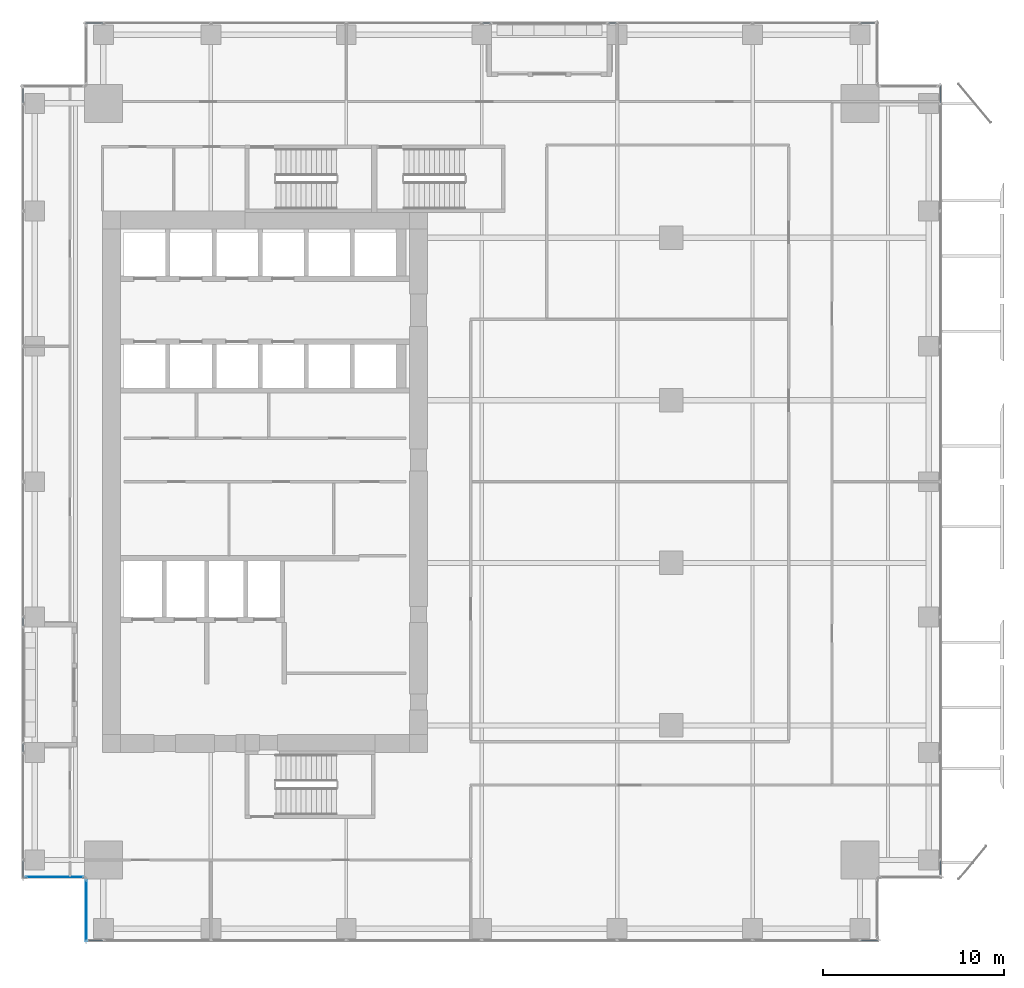
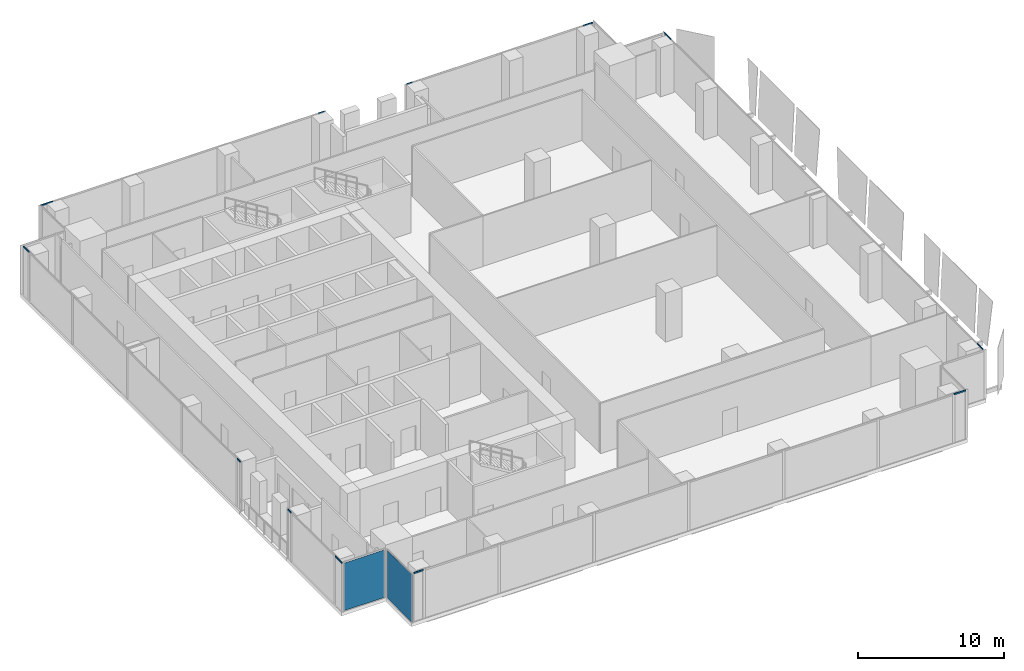
# One storey, part 21 of 33: 12 members, 2 plates, 8 elements without a shape of their own.
"""IFC4 building model written with IfcOpenShell, lengths in metres."""

from ifc_helpers import new_model, si_unit, direction, frame, origin, origin_2d, place, context, subcontext, project, spatial, rectangle, hollow_rectangle, extrude, source, transform, mapped, material, layer, layer_set, material_profile, profile_set, type_object, element, aggregate, save


model = new_model("IFC4")

# Units and contexts
model_context = context("Model", 3, precision=1e-05, world=origin(), true_north=direction((0.0, 1.0)))
body_context = subcontext(model_context, "Body", "Model", "MODEL_VIEW")
ifc_project = project(units=[si_unit("LENGTHUNIT", "METRE"), si_unit("AREAUNIT", "SQUARE_METRE"), si_unit("VOLUMEUNIT", "CUBIC_METRE"), si_unit("PLANEANGLEUNIT", "RADIAN"), si_unit("MASSUNIT", "GRAM", prefix="KILO")], contexts=[model_context])

# Site, building, storey
site_placement = place(None, origin())
site = spatial("IfcSite", under=ifc_project, at=site_placement, CompositionType="ELEMENT")
building_placement = place(site_placement, origin())
building = spatial("IfcBuilding", under=site, at=building_placement, Name="Khomas Fold Tower", CompositionType="ELEMENT")
storey_placement = place(building_placement, frame((0.0, 0.0, 149.89990234375)))
storey = spatial("IfcBuildingStorey", under=building, at=storey_placement, Name="L32", CompositionType="ELEMENT", Elevation=149.89990234375)

# Curtain wall, member
ifc_material_1 = material(Name="Aluminium framed double glazing", Category="aluminium")
curtain_wall_type = type_object("IfcCurtainWallType", Name="SK-Unitised clear-glass wall, growing floors CW1", PredefinedType="NOTDEFINED", material=ifc_material_1)
curtain_wall_1_placement = place(storey_placement, origin())
curtain_wall_1 = element("IfcCurtainWall", 1, at=curtain_wall_1_placement, inside=storey, type_object=curtain_wall_type, Name="CW1 run L32 00-0", PredefinedType="NOTDEFINED")
ifc_material_2 = material(Name="Aluminium", Category="aluminium")
ifc_material_profile = material_profile(ifc_material_2, hollow_rectangle(XDim=0.06005859375, YDim=0.1201171875, WallThickness=0.00390625, at=origin_2d()), Name="SK-Unitised clear-glass wall, growing floors transom CW1-T")
ifc_profile_set = profile_set([ifc_material_profile], Name="Aluminium")
member_type = type_object("IfcMemberType", Name="SK-Unitised clear-glass wall, growing floors transom CW1-T", PredefinedType="USERDEFINED", material=ifc_profile_set)
shared_shape_1 = source(origin(), body_context, "Body", "SweptSolid", [
    extrude(hollow_rectangle(XDim=0.06005859375, YDim=0.1201171875, WallThickness=0.00390625, at=origin_2d()), origin(), (0.0, 0.0, 1.0), 0.760009765625),
])
member_1_placement = place(storey_placement, frame((5.260009765625, 1.60009765625, 4.0400390625), z_axis=(1.0, 0.0, 0.0), x_axis=(0.0, 1.0, 0.0)))
member_1 = element("IfcMember", 2, at=member_1_placement, type_object=member_type, Name="CW1 transom 1", ObjectType="TRANSOM", PredefinedType="USERDEFINED", context=body_context, shape_type="MappedRepresentation", body=[
    mapped(shared_shape_1, transform((0.0, 0.0, 0.0))),
])

curtain_wall_2_placement = place(storey_placement, origin())
curtain_wall_2 = element("IfcCurtainWall", 3, at=curtain_wall_2_placement, inside=storey, type_object=curtain_wall_type, Name="CW1 run L32 03-0", PredefinedType="NOTDEFINED")
member_2_placement = place(storey_placement, frame((52.39990234375, 5.260009765625, 4.0400390625), z_axis=(0.0, 1.0, 0.0), x_axis=(-1.0, 0.0, 0.0)))
member_2 = element("IfcMember", 4, at=member_2_placement, type_object=member_type, Name="CW1 transom 1", ObjectType="TRANSOM", PredefinedType="USERDEFINED", context=body_context, shape_type="MappedRepresentation", body=[
    mapped(shared_shape_1, transform((0.0, 0.0, 0.0))),
])

curtain_wall_3_placement = place(storey_placement, origin())
curtain_wall_3 = element("IfcCurtainWall", 5, at=curtain_wall_3_placement, inside=storey, type_object=curtain_wall_type, Name="CW1 run L32 06-0", PredefinedType="NOTDEFINED")
member_3_placement = place(storey_placement, frame((48.739990234375, 52.39990234375, 4.0400390625), z_axis=(-1.0, 0.0, 0.0), x_axis=(0.0, -1.0, 0.0)))
member_3 = element("IfcMember", 6, at=member_3_placement, type_object=member_type, Name="CW1 transom 1", ObjectType="TRANSOM", PredefinedType="USERDEFINED", context=body_context, shape_type="MappedRepresentation", body=[
    mapped(shared_shape_1, transform((0.0, 0.0, 0.0))),
])

curtain_wall_4_placement = place(storey_placement, origin())
curtain_wall_4 = element("IfcCurtainWall", 7, at=curtain_wall_4_placement, inside=storey, type_object=curtain_wall_type, Name="CW1 run L32 09-0", PredefinedType="NOTDEFINED")
member_4_placement = place(storey_placement, frame((1.60009765625, 48.739990234375, 4.0400390625), z_axis=(0.0, -1.0, 0.0), x_axis=(1.0, 0.0, 0.0)))
member_4 = element("IfcMember", 8, at=member_4_placement, type_object=member_type, Name="CW1 transom 1", ObjectType="TRANSOM", PredefinedType="USERDEFINED", context=body_context, shape_type="MappedRepresentation", body=[
    mapped(shared_shape_1, transform((0.0, 0.0, 0.0))),
])

# Member
shared_shape_2 = source(origin(), body_context, "Body", "SweptSolid", [
    extrude(hollow_rectangle(XDim=0.06005859375, YDim=0.1201171875, WallThickness=0.00390625, at=origin_2d()), origin(), (0.0, 0.0, 1.0), 0.9599609375),
])
member_5_placement = place(storey_placement, frame((47.97998046875, 1.60009765625, 4.0400390625), z_axis=(1.0, 0.0, 0.0), x_axis=(0.0, 1.0, 0.0)))
member_5 = element("IfcMember", 9, at=member_5_placement, type_object=member_type, Name="CW1 transom 8", ObjectType="TRANSOM", PredefinedType="USERDEFINED", context=body_context, shape_type="MappedRepresentation", body=[
    mapped(shared_shape_2, transform((0.0, 0.0, 0.0))),
])

aggregate(curtain_wall_1, [member_1, member_5])

member_6_placement = place(storey_placement, frame((52.39990234375, 47.97998046875, 4.0400390625), z_axis=(0.0, 1.0, 0.0), x_axis=(-1.0, 0.0, 0.0)))
member_6 = element("IfcMember", 10, at=member_6_placement, type_object=member_type, Name="CW1 transom 8", ObjectType="TRANSOM", PredefinedType="USERDEFINED", context=body_context, shape_type="MappedRepresentation", body=[
    mapped(shared_shape_2, transform((0.0, 0.0, 0.0))),
])

aggregate(curtain_wall_2, [member_2, member_6])

# Curtain wall, member
curtain_wall_5_placement = place(storey_placement, origin())
curtain_wall_5 = element("IfcCurtainWall", 11, at=curtain_wall_5_placement, inside=storey, type_object=curtain_wall_type, Name="CW1 run L32 06-1", PredefinedType="NOTDEFINED")
member_7_placement = place(storey_placement, frame((6.02001953125, 52.39990234375, 4.0400390625), z_axis=(-1.0, 0.0, 0.0), x_axis=(0.0, -1.0, 0.0)))
member_7 = element("IfcMember", 12, at=member_7_placement, type_object=member_type, Name="CW1 transom 5", ObjectType="TRANSOM", PredefinedType="USERDEFINED", context=body_context, shape_type="MappedRepresentation", body=[
    mapped(shared_shape_2, transform((0.0, 0.0, 0.0))),
])

curtain_wall_6_placement = place(storey_placement, origin())
curtain_wall_6 = element("IfcCurtainWall", 13, at=curtain_wall_6_placement, inside=storey, type_object=curtain_wall_type, Name="CW1 run L32 09-1", PredefinedType="NOTDEFINED")
member_8_placement = place(storey_placement, frame((1.60009765625, 6.02001953125, 4.0400390625), z_axis=(0.0, -1.0, 0.0), x_axis=(1.0, 0.0, 0.0)))
member_8 = element("IfcMember", 14, at=member_8_placement, type_object=member_type, Name="CW1 transom 3", ObjectType="TRANSOM", PredefinedType="USERDEFINED", context=body_context, shape_type="MappedRepresentation", body=[
    mapped(shared_shape_2, transform((0.0, 0.0, 0.0))),
])

# Member
shared_shape_3 = source(origin(), body_context, "Body", "SweptSolid", [
    extrude(hollow_rectangle(XDim=0.06005859375, YDim=0.1201171875, WallThickness=0.00390625, at=origin_2d()), origin(), (0.0, 0.0, 1.0), 0.4599609375),
])
member_9_placement = place(storey_placement, frame((34.469970703125, 52.39990234375, 4.0400390625), z_axis=(-1.0, 0.0, 0.0), x_axis=(0.0, -1.0, 0.0)))
member_9 = element("IfcMember", 15, at=member_9_placement, type_object=member_type, Name="CW1 transom 4", ObjectType="TRANSOM", PredefinedType="USERDEFINED", context=body_context, shape_type="MappedRepresentation", body=[
    mapped(shared_shape_3, transform((0.0, 0.0, 0.0))),
])

aggregate(curtain_wall_3, [member_3, member_9])

member_10_placement = place(storey_placement, frame((27.489990234375, 52.39990234375, 4.0400390625), z_axis=(-1.0, 0.0, 0.0), x_axis=(0.0, -1.0, 0.0)))
member_10 = element("IfcMember", 16, at=member_10_placement, type_object=member_type, Name="CW1 transom 1", ObjectType="TRANSOM", PredefinedType="USERDEFINED", context=body_context, shape_type="MappedRepresentation", body=[
    mapped(shared_shape_3, transform((0.0, 0.0, 0.0))),
])

aggregate(curtain_wall_5, [member_10, member_7])

member_11_placement = place(storey_placement, frame((1.60009765625, 19.469970703125, 4.0400390625), z_axis=(0.0, -1.0, 0.0), x_axis=(1.0, 0.0, 0.0)))
member_11 = element("IfcMember", 17, at=member_11_placement, type_object=member_type, Name="CW1 transom 6", ObjectType="TRANSOM", PredefinedType="USERDEFINED", context=body_context, shape_type="MappedRepresentation", body=[
    mapped(shared_shape_3, transform((0.0, 0.0, 0.0))),
])

aggregate(curtain_wall_4, [member_4, member_11])

member_12_placement = place(storey_placement, frame((1.60009765625, 12.489990234375, 4.0400390625), z_axis=(0.0, -1.0, 0.0), x_axis=(1.0, 0.0, 0.0)))
member_12 = element("IfcMember", 18, at=member_12_placement, type_object=member_type, Name="CW1 transom 1", ObjectType="TRANSOM", PredefinedType="USERDEFINED", context=body_context, shape_type="MappedRepresentation", body=[
    mapped(shared_shape_3, transform((0.0, 0.0, 0.0))),
])

aggregate(curtain_wall_6, [member_12, member_8])

# Curtain wall, plate
curtain_wall_7_placement = place(storey_placement, origin())
curtain_wall_7 = element("IfcCurtainWall", 19, at=curtain_wall_7_placement, inside=storey, type_object=curtain_wall_type, Name="CW1 corner return L32 10", PredefinedType="NOTDEFINED")
ifc_material_3 = material(Name="Clear double glazed unit")
ifc_layer = layer(ifc_material_3, 0.031982421875)
ifc_layer_set = layer_set([ifc_layer], Name="Clear double glazed unit")
plate_type = type_object("IfcPlateType", Name="SK-Unitised clear-glass wall, growing floors glass panel CW1-P", PredefinedType="CURTAIN_PANEL", material=ifc_layer_set)
shared_shape_4 = source(origin(), body_context, "Body", "SweptSolid", [
    extrude(rectangle(XDim=3.179931640625, YDim=0.031982421875, at=origin_2d()), origin(), (0.0, 0.0, 1.0), 3.97998046875),
])
plate_1_placement = place(storey_placement, frame((3.35009765625, 5.10009765625, 0.0), z_axis=(0.0, 0.0, 1.0), x_axis=(1.0, 0.0, 0.0)))
plate_1 = element("IfcPlate", 20, at=plate_1_placement, type_object=plate_type, Name="CW1 glass panel 1", PredefinedType="CURTAIN_PANEL", context=body_context, shape_type="MappedRepresentation", body=[
    mapped(shared_shape_4, transform((0.0, 0.0, 0.0))),
])
aggregate(curtain_wall_7, [plate_1])

curtain_wall_8_placement = place(storey_placement, origin())
curtain_wall_8 = element("IfcCurtainWall", 21, at=curtain_wall_8_placement, inside=storey, type_object=curtain_wall_type, Name="CW1 corner return L32 11", PredefinedType="NOTDEFINED")
shared_shape_5 = source(origin(), body_context, "Body", "SweptSolid", [
    extrude(rectangle(XDim=3.3798828125, YDim=0.031982421875, at=origin_2d()), origin(), (0.0, 0.0, 1.0), 3.97998046875),
])
plate_2_placement = place(storey_placement, frame((5.10009765625, 3.25, 0.0), z_axis=(0.0, 0.0, 1.0), x_axis=(0.0, -1.0, 0.0)))
plate_2 = element("IfcPlate", 22, at=plate_2_placement, type_object=plate_type, Name="CW1 glass panel 1", PredefinedType="CURTAIN_PANEL", context=body_context, shape_type="MappedRepresentation", body=[
    mapped(shared_shape_5, transform((0.0, 0.0, 0.0))),
])
aggregate(curtain_wall_8, [plate_2])

save(model, "model.ifc")
